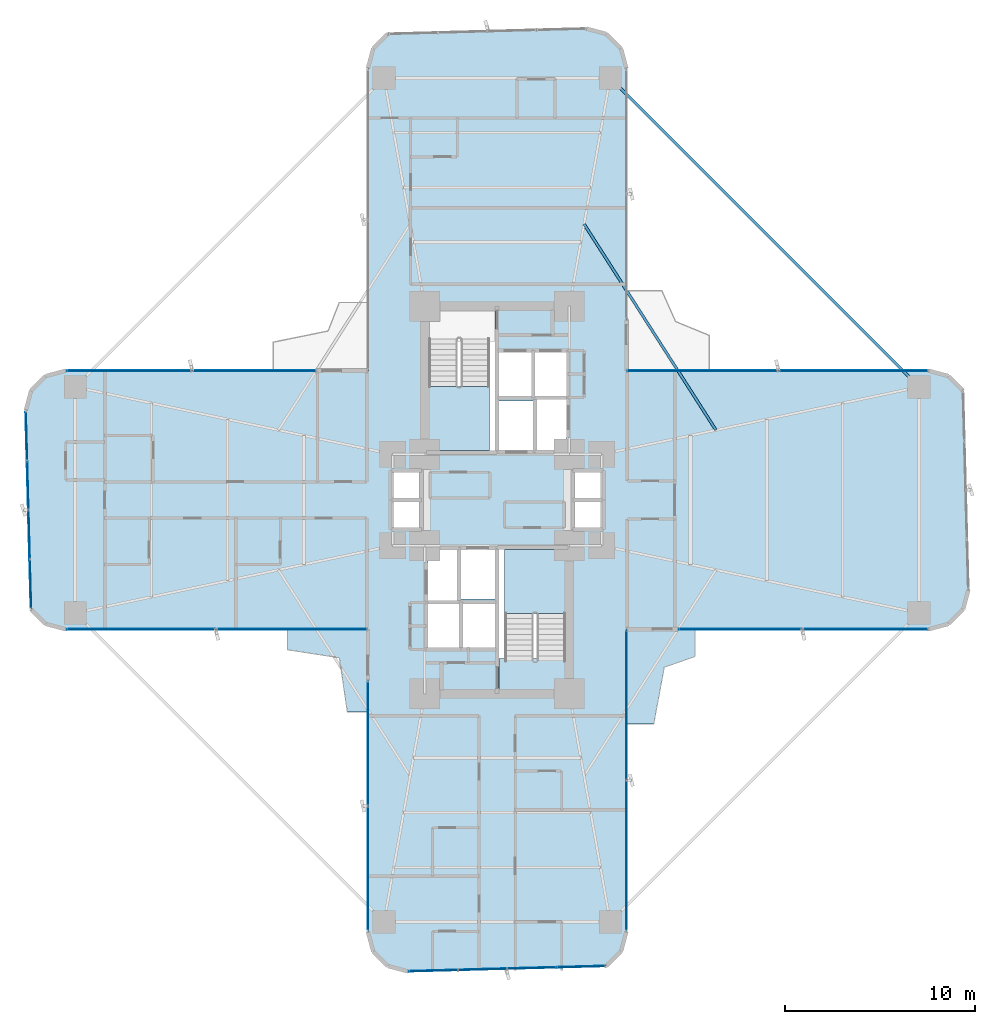
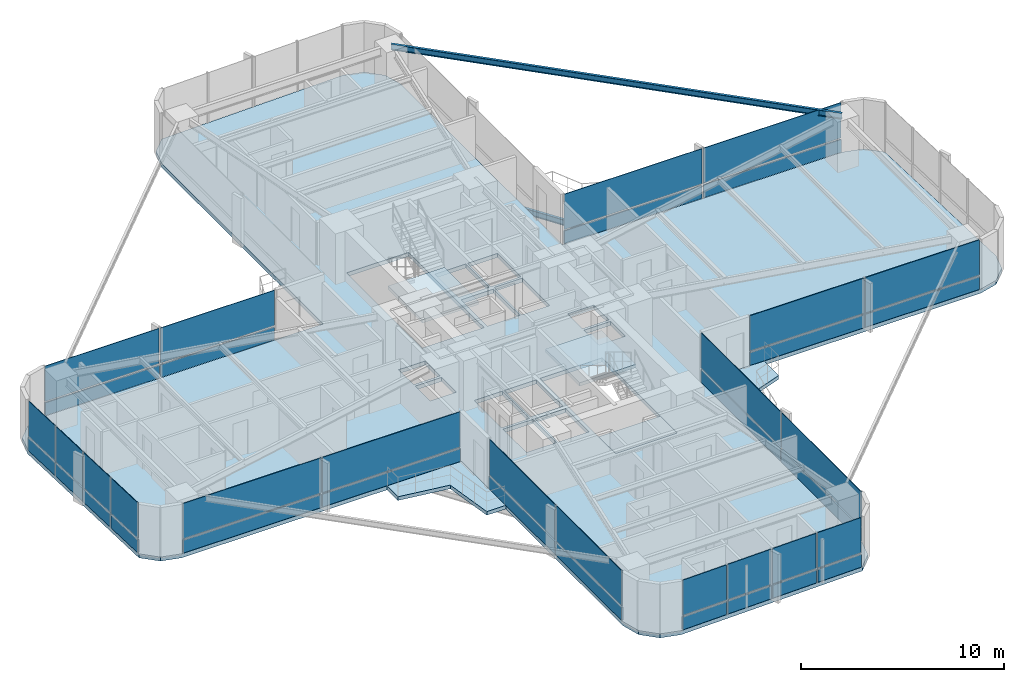
# One storey, part 20 of 26: 40 plates, 6 slabs, 2 beams, 10 elements without a shape of their own.
"""IFC4 building model written with IfcOpenShell, lengths in metres."""

from ifc_helpers import new_model, si_unit, direction, frame, origin, origin_2d, place, context, subcontext, project, spatial, polyline, rectangle, i_section, outline, extrude, source, transform, mapped, material, layer, layer_set, material_profile, profile_set, type_object, element, aggregate, save


model = new_model("IFC4")

# Units and contexts
model_context = context("Model", 3, precision=1e-05, world=origin(), true_north=direction((0.0, 1.0)))
body_context = subcontext(model_context, "Body", "Model", "MODEL_VIEW")
ifc_project = project(units=[si_unit("LENGTHUNIT", "METRE"), si_unit("AREAUNIT", "SQUARE_METRE"), si_unit("VOLUMEUNIT", "CUBIC_METRE"), si_unit("PLANEANGLEUNIT", "RADIAN"), si_unit("MASSUNIT", "GRAM", prefix="KILO")], contexts=[model_context])

# Site, building, storey
site_placement = place(None, origin())
site = spatial("IfcSite", under=ifc_project, at=site_placement, CompositionType="ELEMENT")
building_placement = place(site_placement, origin())
building = spatial("IfcBuilding", under=site, at=building_placement, Name="Sahyath Konkavel Grand Hotel", CompositionType="ELEMENT")
storey_placement = place(building_placement, frame((0.0, 0.0, 43.199951171875)))
storey = spatial("IfcBuildingStorey", under=building, at=storey_placement, Name="L11", CompositionType="ELEMENT", Elevation=43.199951171875)

# Beams
ifc_material_1 = material(Name="Steel E350", Category="steel")
ifc_material_profile_1 = material_profile(ifc_material_1, i_section(OverallWidth=0.139892578125, OverallDepth=0.35009765625, WebThickness=0.008056640625, FlangeThickness=0.01416015625, FilletRadius=0.013916015625, at=origin_2d()), Name="ISMB 350")
ifc_profile_set_1 = profile_set([ifc_material_profile_1], Name="Steel E350")
beam_type_1 = type_object("IfcBeamType", Name="BM-ISMB350", PredefinedType="BEAM", material=ifc_profile_set_1)
shared_shape_1 = source(origin(), body_context, "Body", "SweptSolid", [
    extrude(i_section(OverallWidth=0.139892578125, OverallDepth=0.35009765625, WebThickness=0.008056640625, FlangeThickness=0.01416015625, FilletRadius=0.013916015625, at=origin_2d()), origin(), (0.0, 0.0, 1.0), 22.98095703125),
])
beam_1_placement = place(storey_placement, frame((22.199951171875, 5.949951171875, 2.875), z_axis=(-0.707106781187, 0.707106781187, 0.0), x_axis=(-0.707106781187, -0.707106781187, 0.0)))
element("IfcBeam", 1, at=beam_1_placement, inside=storey, type_object=beam_type_1, Name="L11 Re-Entrant Tie Beam NE", PredefinedType="BEAM", context=body_context, shape_type="MappedRepresentation", body=[
    mapped(shared_shape_1, transform((0.0, 0.0, 0.0), scale=1.0)),
])
ifc_material_profile_2 = material_profile(ifc_material_1, i_section(OverallWidth=0.139892578125, OverallDepth=0.35009765625, WebThickness=0.008056640625, FlangeThickness=0.01416015625, FilletRadius=0.013916015625, at=origin_2d()), Name="ISMB 350")
ifc_profile_set_2 = profile_set([ifc_material_profile_2], Name="Steel E350")
beam_type_2 = type_object("IfcBeamType", Name="BM-BALC-CANT", PredefinedType="BEAM", material=ifc_profile_set_2)
shared_shape_2 = source(origin(), body_context, "Body", "SweptSolid", [
    extrude(i_section(OverallWidth=0.139892578125, OverallDepth=0.35009765625, WebThickness=0.008056640625, FlangeThickness=0.01416015625, FilletRadius=0.013916015625, at=origin_2d()), origin(), (0.0, 0.0, 1.0), 12.871826171875),
])
beam_2_placement = place(storey_placement, frame((11.511962890625, 3.677978515625, -0.4150390625), z_axis=(-0.539003102535, 0.842303778608, 0.0), x_axis=(-0.842303778608, -0.539003102535, 0.0)))
element("IfcBeam", 2, at=beam_2_placement, inside=storey, type_object=beam_type_2, Name="L11 Balcony Cantilever Support Beam NE", PredefinedType="BEAM", context=body_context, shape_type="MappedRepresentation", body=[
    mapped(shared_shape_2, transform((0.0, 0.0, 0.0), scale=1.0)),
])

# Slabs
ifc_material_2 = material(Name="Concrete C40/50", Category="concrete")
ifc_layer_1 = layer(ifc_material_2, 0.239990234375)
ifc_layer_set_1 = layer_set([ifc_layer_1], Name="Concrete C40/50")
slab_type_1 = type_object("IfcSlabType", Name="SLB-240", PredefinedType="FLOOR", material=ifc_layer_set_1)
slab_1_placement = place(storey_placement, frame((0.0, 0.0, -0.239990234375)))
element("IfcSlab", 3, at=slab_1_placement, inside=storey, type_object=slab_type_1, Name="L11 Structural Floor Slab", PredefinedType="FLOOR", context=body_context, shape_type="SweptSolid", body=[
    extrude(outline(polyline([(6.800048828125, -6.800048828125), (22.699951171875, -6.800048828125), (23.75, -6.518798828125), (24.518798828125, -5.75), (24.800048828125, -4.699951171875), (24.518798828125, 5.75), (23.75, 6.518798828125), (22.699951171875, 6.800048828125), (6.800048828125, 6.800048828125), (6.800048828125, 22.699951171875), (6.518798828125, 23.75), (5.75, 24.518798828125), (4.699951171875, 24.800048828125), (-5.75, 24.518798828125), (-6.518798828125, 23.75), (-6.800048828125, 22.699951171875), (-6.800048828125, 6.800048828125), (-22.699951171875, 6.800048828125), (-23.75, 6.518798828125), (-24.518798828125, 5.75), (-24.800048828125, 4.699951171875), (-24.518798828125, -5.75), (-23.75, -6.518798828125), (-22.699951171875, -6.800048828125), (-6.800048828125, -6.800048828125), (-6.800048828125, -22.699951171875), (-6.518798828125, -23.75), (-5.75, -24.518798828125), (-4.699951171875, -24.800048828125), (5.75, -24.518798828125), (6.518798828125, -23.75), (6.800048828125, -22.699951171875), (6.800048828125, -6.800048828125)]), holes=[polyline([(-3.6201171875, 2.580078125), (-0.10009765625, 2.580078125), (-0.10009765625, 10.02001953125), (-3.6201171875, 10.02001953125), (-3.6201171875, 2.580078125)]), polyline([(0.10009765625, -10.02001953125), (3.6201171875, -10.02001953125), (3.6201171875, -2.580078125), (0.10009765625, -2.580078125), (0.10009765625, -10.02001953125)]), polyline([(0.10009765625, 2.60009765625), (1.949951171875, 2.60009765625), (1.949951171875, 5.199951171875), (0.10009765625, 5.199951171875), (0.10009765625, 2.60009765625)]), polyline([(-1.949951171875, -5.199951171875), (-0.10009765625, -5.199951171875), (-0.10009765625, -2.60009765625), (-1.949951171875, -2.60009765625), (-1.949951171875, -5.199951171875)]), polyline([(2.050048828125, 2.60009765625), (3.64990234375, 2.60009765625), (3.64990234375, 5.300048828125), (2.050048828125, 5.300048828125), (2.050048828125, 2.60009765625)]), polyline([(-3.64990234375, -5.300048828125), (-2.050048828125, -5.300048828125), (-2.050048828125, -2.60009765625), (-3.64990234375, -2.60009765625), (-3.64990234375, -5.300048828125)]), polyline([(0.10009765625, 5.449951171875), (1.85009765625, 5.449951171875), (1.85009765625, 7.75), (0.10009765625, 7.75), (0.10009765625, 5.449951171875)]), polyline([(1.949951171875, 5.449951171875), (3.64990234375, 5.449951171875), (3.64990234375, 7.75), (1.949951171875, 7.75), (1.949951171875, 5.449951171875)]), polyline([(-3.64990234375, -7.75), (-1.949951171875, -7.75), (-1.949951171875, -5.449951171875), (-3.64990234375, -5.449951171875), (-3.64990234375, -7.75)]), polyline([(-1.85009765625, -7.75), (-0.10009765625, -7.75), (-0.10009765625, -5.449951171875), (-1.85009765625, -5.449951171875), (-1.85009765625, -7.75)]), polyline([(4.050048828125, 0.080078125), (5.550048828125, 0.080078125), (5.550048828125, 1.5400390625), (4.050048828125, 1.5400390625), (4.050048828125, 0.080078125)]), polyline([(4.050048828125, -1.5400390625), (5.550048828125, -1.5400390625), (5.550048828125, -0.080078125), (4.050048828125, -0.080078125), (4.050048828125, -1.5400390625)]), polyline([(-5.550048828125, 0.080078125), (-4.050048828125, 0.080078125), (-4.050048828125, 1.5400390625), (-5.550048828125, 1.5400390625), (-5.550048828125, 0.080078125)]), polyline([(-5.550048828125, -1.5400390625), (-4.050048828125, -1.5400390625), (-4.050048828125, -0.080078125), (-5.550048828125, -0.080078125), (-5.550048828125, -1.5400390625)])]), origin(), (0.0, 0.0, 1.0), 0.239990234375),
])
ifc_layer_2 = layer(ifc_material_2, 0.219970703125)
ifc_layer_set_2 = layer_set([ifc_layer_2], Name="Concrete C40/50")
slab_type_2 = type_object("IfcSlabType", Name="SLB-BALCONY-220", PredefinedType="FLOOR", material=ifc_layer_set_2)
slab_2_placement = place(storey_placement, frame((0.0, 0.0, -0.219970703125)))
element("IfcSlab", 4, at=slab_2_placement, inside=storey, type_object=slab_type_2, Name="L11 Winter-Garden Balcony SW", PredefinedType="FLOOR", context=body_context, shape_type="SweptSolid", body=[
    extrude(outline(polyline([(-6.800048828125, -6.800048828125), (-11.033935546875, -6.800048828125), (-11.033935546875, -7.88134765625), (-8.302001953125, -8.302001953125), (-7.88134765625, -11.166015625), (-6.800048828125, -11.166015625), (-6.800048828125, -6.800048828125)])), origin(), (0.0, 0.0, 1.0), 0.219970703125),
])
slab_3_placement = place(storey_placement, frame((0.0, 0.0, -0.219970703125)))
element("IfcSlab", 5, at=slab_3_placement, inside=storey, type_object=slab_type_2, Name="L11 Winter-Garden Balcony SE", PredefinedType="FLOOR", context=body_context, shape_type="SweptSolid", body=[
    extrude(outline(polyline([(6.800048828125, -6.800048828125), (6.800048828125, -11.797119140625), (8.238525390625, -11.797119140625), (8.798095703125, -8.798095703125), (10.403076171875, -8.238525390625), (10.403076171875, -6.800048828125), (6.800048828125, -6.800048828125)])), origin(), (0.0, 0.0, 1.0), 0.219970703125),
])

# Stair, slab
stair_type = type_object("IfcStairType", Name="STR-ST16-335", PredefinedType="HALF_TURN_STAIR", material=ifc_material_2)
stair_1_placement = place(storey_placement, origin())
stair_1 = element("IfcStair", 6, at=stair_1_placement, inside=storey, type_object=stair_type, Name="L11 North Core Smokeproof Exit Stair ST-1", PredefinedType="HALF_TURN_STAIR")
ifc_layer_3 = layer(ifc_material_2, 0.199951171875)
ifc_layer_set_3 = layer_set([ifc_layer_3], Name="Concrete C40/50")
slab_type_3 = type_object("IfcSlabType", Name="SLB-STAIR-LND", PredefinedType="LANDING", material=ifc_layer_set_3)
slab_4_placement = place(storey_placement, frame((0.0, 0.0, 1.47509765625)))
slab_4 = element("IfcSlab", 7, at=slab_4_placement, type_object=slab_type_3, Name="ST-1 landing 1", PredefinedType="LANDING", context=body_context, shape_type="SweptSolid", body=[
    extrude(outline(polyline([(-3.60009765625, 5.9599609375), (-3.60009765625, 2.60009765625), (-0.39990234375, 2.60009765625), (-0.39990234375, 5.9599609375), (-3.60009765625, 5.9599609375)])), origin(), (0.0, 0.0, 1.0), 0.199951171875),
])
aggregate(stair_1, [slab_4])

stair_2_placement = place(storey_placement, origin())
stair_2 = element("IfcStair", 8, at=stair_2_placement, inside=storey, type_object=stair_type, Name="L11 South Core Smokeproof Exit Stair ST-2", PredefinedType="HALF_TURN_STAIR")
slab_5_placement = place(storey_placement, frame((0.0, 0.0, 1.47509765625)))
slab_5 = element("IfcSlab", 9, at=slab_5_placement, type_object=slab_type_3, Name="ST-2 landing 1", PredefinedType="LANDING", context=body_context, shape_type="SweptSolid", body=[
    extrude(outline(polyline([(3.60009765625, -5.9599609375), (3.60009765625, -2.60009765625), (0.39990234375, -2.60009765625), (0.39990234375, -5.9599609375), (3.60009765625, -5.9599609375)])), origin(), (0.0, 0.0, 1.0), 0.199951171875),
])
aggregate(stair_2, [slab_5])

# Slab
slab_6_placement = place(storey_placement, frame((0.0, 0.0, -0.199951171875)))
element("IfcSlab", 10, at=slab_6_placement, inside=storey, type_object=slab_type_3, Name="L11 Stair ST-2 Floor Landing Slab", PredefinedType="LANDING", context=body_context, shape_type="SweptSolid", body=[
    extrude(outline(polyline([(0.10009765625, -10.02001953125), (3.6201171875, -10.02001953125), (3.6201171875, -8.35009765625), (0.10009765625, -8.35009765625), (0.10009765625, -10.02001953125)])), origin(), (0.0, 0.0, 1.0), 0.199951171875),
])

# Curtain wall, plates
ifc_material_3 = material(Name="Anodised Bronze Aluminium & Low-E Glazing", Category="aluminium")
curtain_wall_type = type_object("IfcCurtainWallType", Name="CW-ZONE1", PredefinedType="NOTDEFINED", material=ifc_material_3)
curtain_wall_1_placement = place(storey_placement, origin())
curtain_wall_1 = element("IfcCurtainWall", 11, at=curtain_wall_1_placement, inside=storey, type_object=curtain_wall_type, Name="L11 Unitised Curtain Wall F7", PredefinedType="NOTDEFINED")
ifc_material_4 = material(Name="Warm Buff Sandstone Cladding", Category="masonry")
ifc_layer_4 = layer(ifc_material_4, 0.074951171875)
ifc_layer_set_4 = layer_set([ifc_layer_4], Name="Warm Buff Sandstone Cladding")
plate_type_1 = type_object("IfcPlateType", Name="PNL-SPANDREL-STONE", PredefinedType="SHEET", material=ifc_layer_set_4)
shared_shape_3 = source(origin(), body_context, "Body", "SweptSolid", [
    extrude(rectangle(XDim=7.830078125, YDim=0.074951171875, at=origin_2d()), origin(), (0.0, 0.0, 1.0), 0.77001953125),
])
plate_1_placement = place(storey_placement, frame((18.705078125, 6.800048828125, 0.0400390625), z_axis=(0.0, 0.0, 1.0), x_axis=(-1.0, 0.0, 0.0)))
plate_1 = element("IfcPlate", 12, at=plate_1_placement, type_object=plate_type_1, Name="L11 Sandstone Relief Spandrel Panel F7-0", PredefinedType="SHEET", context=body_context, shape_type="MappedRepresentation", body=[
    mapped(shared_shape_3, transform((0.0, 0.0, 0.0), scale=1.0)),
])
plate_2_placement = place(storey_placement, frame((10.794921875, 6.800048828125, 0.0400390625), z_axis=(0.0, 0.0, 1.0), x_axis=(-1.0, 0.0, 0.0)))
plate_2 = element("IfcPlate", 13, at=plate_2_placement, type_object=plate_type_1, Name="L11 Sandstone Relief Spandrel Panel F7-1", PredefinedType="SHEET", context=body_context, shape_type="MappedRepresentation", body=[
    mapped(shared_shape_3, transform((0.0, 0.0, 0.0), scale=1.0)),
])

curtain_wall_2_placement = place(storey_placement, origin())
curtain_wall_2 = element("IfcCurtainWall", 14, at=curtain_wall_2_placement, inside=storey, type_object=curtain_wall_type, Name="L11 Unitised Curtain Wall F23", PredefinedType="NOTDEFINED")
plate_3_placement = place(storey_placement, frame((-18.705078125, -6.800048828125, 0.0400390625), z_axis=(0.0, 0.0, 1.0), x_axis=(1.0, 0.0, 0.0)))
plate_3 = element("IfcPlate", 15, at=plate_3_placement, type_object=plate_type_1, Name="L11 Sandstone Relief Spandrel Panel F23-0", PredefinedType="SHEET", context=body_context, shape_type="MappedRepresentation", body=[
    mapped(shared_shape_3, transform((0.0, 0.0, 0.0), scale=1.0)),
])
plate_4_placement = place(storey_placement, frame((-10.794921875, -6.800048828125, 0.0400390625), z_axis=(0.0, 0.0, 1.0), x_axis=(1.0, 0.0, 0.0)))
plate_4 = element("IfcPlate", 16, at=plate_4_placement, type_object=plate_type_1, Name="L11 Sandstone Relief Spandrel Panel F23-1", PredefinedType="SHEET", context=body_context, shape_type="MappedRepresentation", body=[
    mapped(shared_shape_3, transform((0.0, 0.0, 0.0), scale=1.0)),
])

curtain_wall_3_placement = place(storey_placement, origin())
curtain_wall_3 = element("IfcCurtainWall", 17, at=curtain_wall_3_placement, inside=storey, type_object=curtain_wall_type, Name="L11 Unitised Curtain Wall F31", PredefinedType="NOTDEFINED")
plate_5_placement = place(storey_placement, frame((6.800048828125, -18.705078125, 0.0400390625), z_axis=(0.0, 0.0, 1.0), x_axis=(0.0, 1.0, 0.0)))
plate_5 = element("IfcPlate", 18, at=plate_5_placement, type_object=plate_type_1, Name="L11 Sandstone Relief Spandrel Panel F31-0", PredefinedType="SHEET", context=body_context, shape_type="MappedRepresentation", body=[
    mapped(shared_shape_3, transform((0.0, 0.0, 0.0), scale=1.0)),
])
plate_6_placement = place(storey_placement, frame((6.800048828125, -10.794921875, 0.0400390625), z_axis=(0.0, 0.0, 1.0), x_axis=(0.0, 1.0, 0.0)))
plate_6 = element("IfcPlate", 19, at=plate_6_placement, type_object=plate_type_1, Name="L11 Sandstone Relief Spandrel Panel F31-1", PredefinedType="SHEET", context=body_context, shape_type="MappedRepresentation", body=[
    mapped(shared_shape_3, transform((0.0, 0.0, 0.0), scale=1.0)),
])

curtain_wall_4_placement = place(storey_placement, origin())
curtain_wall_4 = element("IfcCurtainWall", 20, at=curtain_wall_4_placement, inside=storey, type_object=curtain_wall_type, Name="L11 Unitised Curtain Wall F20", PredefinedType="NOTDEFINED")
shared_shape_4 = source(origin(), body_context, "Body", "SweptSolid", [
    extrude(rectangle(XDim=2.513427734375, YDim=0.074951171875, at=origin_2d()), origin(), (0.0, 0.0, 1.0), 0.77001953125),
])
plate_7_placement = place(storey_placement, frame((-24.763916015625, 3.36376953125, 0.0400390625), z_axis=(0.0, 0.0, 1.0), x_axis=(0.026909728301, -0.999637867691, 0.0)))
plate_7 = element("IfcPlate", 21, at=plate_7_placement, type_object=plate_type_1, Name="L11 Sandstone Relief Spandrel Panel F20-0", PredefinedType="SHEET", context=body_context, shape_type="MappedRepresentation", body=[
    mapped(shared_shape_4, transform((0.0, 0.0, 0.0), scale=1.0)),
])
plate_8_placement = place(storey_placement, frame((-24.694091796875, 0.771240234375, 0.0400390625), z_axis=(0.0, 0.0, 1.0), x_axis=(0.026909728301, -0.999637867691, 0.0)))
plate_8 = element("IfcPlate", 22, at=plate_8_placement, type_object=plate_type_1, Name="L11 Sandstone Relief Spandrel Panel F20-1", PredefinedType="SHEET", context=body_context, shape_type="MappedRepresentation", body=[
    mapped(shared_shape_4, transform((0.0, 0.0, 0.0), scale=1.0)),
])
plate_9_placement = place(storey_placement, frame((-24.62451171875, -1.8212890625, 0.0400390625), z_axis=(0.0, 0.0, 1.0), x_axis=(0.026909728301, -0.999637867691, 0.0)))
plate_9 = element("IfcPlate", 23, at=plate_9_placement, type_object=plate_type_1, Name="L11 Sandstone Relief Spandrel Panel F20-2", PredefinedType="SHEET", context=body_context, shape_type="MappedRepresentation", body=[
    mapped(shared_shape_4, transform((0.0, 0.0, 0.0), scale=1.0)),
])
plate_10_placement = place(storey_placement, frame((-24.5546875, -4.413818359375, 0.0400390625), z_axis=(0.0, 0.0, 1.0), x_axis=(0.026909728301, -0.999637867691, 0.0)))
plate_10 = element("IfcPlate", 24, at=plate_10_placement, type_object=plate_type_1, Name="L11 Sandstone Relief Spandrel Panel F20-3", PredefinedType="SHEET", context=body_context, shape_type="MappedRepresentation", body=[
    mapped(shared_shape_4, transform((0.0, 0.0, 0.0), scale=1.0)),
])

curtain_wall_5_placement = place(storey_placement, origin())
curtain_wall_5 = element("IfcCurtainWall", 25, at=curtain_wall_5_placement, inside=storey, type_object=curtain_wall_type, Name="L11 Unitised Curtain Wall F28", PredefinedType="NOTDEFINED")
plate_11_placement = place(storey_placement, frame((-3.36376953125, -24.763916015625, 0.0400390625), z_axis=(0.0, 0.0, 1.0), x_axis=(0.999637867691, 0.026909728301, 0.0)))
plate_11 = element("IfcPlate", 26, at=plate_11_placement, type_object=plate_type_1, Name="L11 Sandstone Relief Spandrel Panel F28-0", PredefinedType="SHEET", context=body_context, shape_type="MappedRepresentation", body=[
    mapped(shared_shape_4, transform((0.0, 0.0, 0.0), scale=1.0)),
])
plate_12_placement = place(storey_placement, frame((-0.771240234375, -24.694091796875, 0.0400390625), z_axis=(0.0, 0.0, 1.0), x_axis=(0.999637867691, 0.026909728301, 0.0)))
plate_12 = element("IfcPlate", 27, at=plate_12_placement, type_object=plate_type_1, Name="L11 Sandstone Relief Spandrel Panel F28-1", PredefinedType="SHEET", context=body_context, shape_type="MappedRepresentation", body=[
    mapped(shared_shape_4, transform((0.0, 0.0, 0.0), scale=1.0)),
])
plate_13_placement = place(storey_placement, frame((1.8212890625, -24.62451171875, 0.0400390625), z_axis=(0.0, 0.0, 1.0), x_axis=(0.999637867691, 0.026909728301, 0.0)))
plate_13 = element("IfcPlate", 28, at=plate_13_placement, type_object=plate_type_1, Name="L11 Sandstone Relief Spandrel Panel F28-2", PredefinedType="SHEET", context=body_context, shape_type="MappedRepresentation", body=[
    mapped(shared_shape_4, transform((0.0, 0.0, 0.0), scale=1.0)),
])
plate_14_placement = place(storey_placement, frame((4.413818359375, -24.5546875, 0.0400390625), z_axis=(0.0, 0.0, 1.0), x_axis=(0.999637867691, 0.026909728301, 0.0)))
plate_14 = element("IfcPlate", 29, at=plate_14_placement, type_object=plate_type_1, Name="L11 Sandstone Relief Spandrel Panel F28-3", PredefinedType="SHEET", context=body_context, shape_type="MappedRepresentation", body=[
    mapped(shared_shape_4, transform((0.0, 0.0, 0.0), scale=1.0)),
])

curtain_wall_6_placement = place(storey_placement, origin())
curtain_wall_6 = element("IfcCurtainWall", 30, at=curtain_wall_6_placement, inside=storey, type_object=curtain_wall_type, Name="L11 Unitised Curtain Wall F0", PredefinedType="NOTDEFINED")
shared_shape_5 = source(origin(), body_context, "Body", "SweptSolid", [
    extrude(rectangle(XDim=6.47998046875, YDim=0.074951171875, at=origin_2d()), origin(), (0.0, 0.0, 1.0), 0.77001953125),
])
plate_15_placement = place(storey_placement, frame((12.820068359375, -6.800048828125, 0.0400390625), z_axis=(0.0, 0.0, 1.0), x_axis=(1.0, 0.0, 0.0)))
plate_15 = element("IfcPlate", 31, at=plate_15_placement, type_object=plate_type_1, Name="L11 Sandstone Relief Spandrel Panel F0-0", PredefinedType="SHEET", context=body_context, shape_type="MappedRepresentation", body=[
    mapped(shared_shape_5, transform((0.0, 0.0, 0.0), scale=1.0)),
])
plate_16_placement = place(storey_placement, frame((19.3798828125, -6.800048828125, 0.0400390625), z_axis=(0.0, 0.0, 1.0), x_axis=(1.0, 0.0, 0.0)))
plate_16 = element("IfcPlate", 32, at=plate_16_placement, type_object=plate_type_1, Name="L11 Sandstone Relief Spandrel Panel F0-1", PredefinedType="SHEET", context=body_context, shape_type="MappedRepresentation", body=[
    mapped(shared_shape_5, transform((0.0, 0.0, 0.0), scale=1.0)),
])

curtain_wall_7_placement = place(storey_placement, origin())
curtain_wall_7 = element("IfcCurtainWall", 33, at=curtain_wall_7_placement, inside=storey, type_object=curtain_wall_type, Name="L11 Unitised Curtain Wall F16", PredefinedType="NOTDEFINED")
plate_17_placement = place(storey_placement, frame((-12.820068359375, 6.800048828125, 0.0400390625), z_axis=(0.0, 0.0, 1.0), x_axis=(-1.0, 0.0, 0.0)))
plate_17 = element("IfcPlate", 34, at=plate_17_placement, type_object=plate_type_1, Name="L11 Sandstone Relief Spandrel Panel F16-0", PredefinedType="SHEET", context=body_context, shape_type="MappedRepresentation", body=[
    mapped(shared_shape_5, transform((0.0, 0.0, 0.0), scale=1.0)),
])
plate_18_placement = place(storey_placement, frame((-19.3798828125, 6.800048828125, 0.0400390625), z_axis=(0.0, 0.0, 1.0), x_axis=(-1.0, 0.0, 0.0)))
plate_18 = element("IfcPlate", 35, at=plate_18_placement, type_object=plate_type_1, Name="L11 Sandstone Relief Spandrel Panel F16-1", PredefinedType="SHEET", context=body_context, shape_type="MappedRepresentation", body=[
    mapped(shared_shape_5, transform((0.0, 0.0, 0.0), scale=1.0)),
])

curtain_wall_8_placement = place(storey_placement, origin())
curtain_wall_8 = element("IfcCurtainWall", 36, at=curtain_wall_8_placement, inside=storey, type_object=curtain_wall_type, Name="L11 Unitised Curtain Wall F24", PredefinedType="NOTDEFINED")
plate_19_placement = place(storey_placement, frame((-6.800048828125, -12.820068359375, 0.0400390625), z_axis=(0.0, 0.0, 1.0), x_axis=(0.0, -1.0, 0.0)))
plate_19 = element("IfcPlate", 37, at=plate_19_placement, type_object=plate_type_1, Name="L11 Sandstone Relief Spandrel Panel F24-0", PredefinedType="SHEET", context=body_context, shape_type="MappedRepresentation", body=[
    mapped(shared_shape_5, transform((0.0, 0.0, 0.0), scale=1.0)),
])
plate_20_placement = place(storey_placement, frame((-6.800048828125, -19.3798828125, 0.0400390625), z_axis=(0.0, 0.0, 1.0), x_axis=(0.0, -1.0, 0.0)))
plate_20 = element("IfcPlate", 38, at=plate_20_placement, type_object=plate_type_1, Name="L11 Sandstone Relief Spandrel Panel F24-1", PredefinedType="SHEET", context=body_context, shape_type="MappedRepresentation", body=[
    mapped(shared_shape_5, transform((0.0, 0.0, 0.0), scale=1.0)),
])

# Plate
ifc_material_5 = material(Name="Low-E Solar Control Double Glazing", Category="glass")
ifc_layer_5 = layer(ifc_material_5, 0.035888671875)
ifc_layer_set_5 = layer_set([ifc_layer_5], Name="Low-E Solar Control Double Glazing")
plate_type_2 = type_object("IfcPlateType", Name="PNL-VISION-LOWE", PredefinedType="CURTAIN_PANEL", material=ifc_layer_set_5)
shared_shape_6 = source(origin(), body_context, "Body", "SweptSolid", [
    extrude(rectangle(XDim=6.47998046875, YDim=0.035888671875, at=origin_2d()), origin(), (0.0, 0.0, 1.0), 2.1201171875),
])
plate_21_placement = place(storey_placement, frame((12.820068359375, -6.800048828125, 0.889892578125), z_axis=(0.0, 0.0, 1.0), x_axis=(1.0, 0.0, 0.0)))
plate_21 = element("IfcPlate", 39, at=plate_21_placement, type_object=plate_type_2, Name="L11 Low-E Vision Glazing Panel F0-0", PredefinedType="CURTAIN_PANEL", context=body_context, shape_type="MappedRepresentation", body=[
    mapped(shared_shape_6, transform((0.0, 0.0, 0.0), scale=1.0)),
])

plate_22_placement = place(storey_placement, frame((19.3798828125, -6.800048828125, 0.889892578125), z_axis=(0.0, 0.0, 1.0), x_axis=(1.0, 0.0, 0.0)))
plate_22 = element("IfcPlate", 40, at=plate_22_placement, type_object=plate_type_2, Name="L11 Low-E Vision Glazing Panel F0-1", PredefinedType="CURTAIN_PANEL", context=body_context, shape_type="MappedRepresentation", body=[
    mapped(shared_shape_6, transform((0.0, 0.0, 0.0), scale=1.0)),
])

aggregate(curtain_wall_6, [plate_15, plate_21, plate_16, plate_22])

plate_23_placement = place(storey_placement, frame((-12.820068359375, 6.800048828125, 0.889892578125), z_axis=(0.0, 0.0, 1.0), x_axis=(-1.0, 0.0, 0.0)))
plate_23 = element("IfcPlate", 41, at=plate_23_placement, type_object=plate_type_2, Name="L11 Low-E Vision Glazing Panel F16-0", PredefinedType="CURTAIN_PANEL", context=body_context, shape_type="MappedRepresentation", body=[
    mapped(shared_shape_6, transform((0.0, 0.0, 0.0), scale=1.0)),
])

plate_24_placement = place(storey_placement, frame((-19.3798828125, 6.800048828125, 0.889892578125), z_axis=(0.0, 0.0, 1.0), x_axis=(-1.0, 0.0, 0.0)))
plate_24 = element("IfcPlate", 42, at=plate_24_placement, type_object=plate_type_2, Name="L11 Low-E Vision Glazing Panel F16-1", PredefinedType="CURTAIN_PANEL", context=body_context, shape_type="MappedRepresentation", body=[
    mapped(shared_shape_6, transform((0.0, 0.0, 0.0), scale=1.0)),
])

aggregate(curtain_wall_7, [plate_17, plate_23, plate_18, plate_24])

plate_25_placement = place(storey_placement, frame((-6.800048828125, -12.820068359375, 0.889892578125), z_axis=(0.0, 0.0, 1.0), x_axis=(0.0, -1.0, 0.0)))
plate_25 = element("IfcPlate", 43, at=plate_25_placement, type_object=plate_type_2, Name="L11 Low-E Vision Glazing Panel F24-0", PredefinedType="CURTAIN_PANEL", context=body_context, shape_type="MappedRepresentation", body=[
    mapped(shared_shape_6, transform((0.0, 0.0, 0.0), scale=1.0)),
])

plate_26_placement = place(storey_placement, frame((-6.800048828125, -19.3798828125, 0.889892578125), z_axis=(0.0, 0.0, 1.0), x_axis=(0.0, -1.0, 0.0)))
plate_26 = element("IfcPlate", 44, at=plate_26_placement, type_object=plate_type_2, Name="L11 Low-E Vision Glazing Panel F24-1", PredefinedType="CURTAIN_PANEL", context=body_context, shape_type="MappedRepresentation", body=[
    mapped(shared_shape_6, transform((0.0, 0.0, 0.0), scale=1.0)),
])

aggregate(curtain_wall_8, [plate_19, plate_25, plate_20, plate_26])

shared_shape_7 = source(origin(), body_context, "Body", "SweptSolid", [
    extrude(rectangle(XDim=2.513427734375, YDim=0.035888671875, at=origin_2d()), origin(), (0.0, 0.0, 1.0), 2.1201171875),
])
plate_27_placement = place(storey_placement, frame((-24.763916015625, 3.36376953125, 0.889892578125), z_axis=(0.0, 0.0, 1.0), x_axis=(0.026909728301, -0.999637867691, 0.0)))
plate_27 = element("IfcPlate", 45, at=plate_27_placement, type_object=plate_type_2, Name="L11 Low-E Vision Glazing Panel F20-0", PredefinedType="CURTAIN_PANEL", context=body_context, shape_type="MappedRepresentation", body=[
    mapped(shared_shape_7, transform((0.0, 0.0, 0.0), scale=1.0)),
])

plate_28_placement = place(storey_placement, frame((-24.694091796875, 0.771240234375, 0.889892578125), z_axis=(0.0, 0.0, 1.0), x_axis=(0.026909728301, -0.999637867691, 0.0)))
plate_28 = element("IfcPlate", 46, at=plate_28_placement, type_object=plate_type_2, Name="L11 Low-E Vision Glazing Panel F20-1", PredefinedType="CURTAIN_PANEL", context=body_context, shape_type="MappedRepresentation", body=[
    mapped(shared_shape_7, transform((0.0, 0.0, 0.0), scale=1.0)),
])

plate_29_placement = place(storey_placement, frame((-24.62451171875, -1.8212890625, 0.889892578125), z_axis=(0.0, 0.0, 1.0), x_axis=(0.026909728301, -0.999637867691, 0.0)))
plate_29 = element("IfcPlate", 47, at=plate_29_placement, type_object=plate_type_2, Name="L11 Low-E Vision Glazing Panel F20-2", PredefinedType="CURTAIN_PANEL", context=body_context, shape_type="MappedRepresentation", body=[
    mapped(shared_shape_7, transform((0.0, 0.0, 0.0), scale=1.0)),
])

plate_30_placement = place(storey_placement, frame((-24.5546875, -4.413818359375, 0.889892578125), z_axis=(0.0, 0.0, 1.0), x_axis=(0.026909728301, -0.999637867691, 0.0)))
plate_30 = element("IfcPlate", 48, at=plate_30_placement, type_object=plate_type_2, Name="L11 Low-E Vision Glazing Panel F20-3", PredefinedType="CURTAIN_PANEL", context=body_context, shape_type="MappedRepresentation", body=[
    mapped(shared_shape_7, transform((0.0, 0.0, 0.0), scale=1.0)),
])

aggregate(curtain_wall_4, [plate_7, plate_27, plate_8, plate_28, plate_9, plate_29, plate_10, plate_30])

plate_31_placement = place(storey_placement, frame((-3.36376953125, -24.763916015625, 0.889892578125), z_axis=(0.0, 0.0, 1.0), x_axis=(0.999637867691, 0.026909728301, 0.0)))
plate_31 = element("IfcPlate", 49, at=plate_31_placement, type_object=plate_type_2, Name="L11 Low-E Vision Glazing Panel F28-0", PredefinedType="CURTAIN_PANEL", context=body_context, shape_type="MappedRepresentation", body=[
    mapped(shared_shape_7, transform((0.0, 0.0, 0.0), scale=1.0)),
])

plate_32_placement = place(storey_placement, frame((-0.771240234375, -24.694091796875, 0.889892578125), z_axis=(0.0, 0.0, 1.0), x_axis=(0.999637867691, 0.026909728301, 0.0)))
plate_32 = element("IfcPlate", 50, at=plate_32_placement, type_object=plate_type_2, Name="L11 Low-E Vision Glazing Panel F28-1", PredefinedType="CURTAIN_PANEL", context=body_context, shape_type="MappedRepresentation", body=[
    mapped(shared_shape_7, transform((0.0, 0.0, 0.0), scale=1.0)),
])

plate_33_placement = place(storey_placement, frame((1.8212890625, -24.62451171875, 0.889892578125), z_axis=(0.0, 0.0, 1.0), x_axis=(0.999637867691, 0.026909728301, 0.0)))
plate_33 = element("IfcPlate", 51, at=plate_33_placement, type_object=plate_type_2, Name="L11 Low-E Vision Glazing Panel F28-2", PredefinedType="CURTAIN_PANEL", context=body_context, shape_type="MappedRepresentation", body=[
    mapped(shared_shape_7, transform((0.0, 0.0, 0.0), scale=1.0)),
])

plate_34_placement = place(storey_placement, frame((4.413818359375, -24.5546875, 0.889892578125), z_axis=(0.0, 0.0, 1.0), x_axis=(0.999637867691, 0.026909728301, 0.0)))
plate_34 = element("IfcPlate", 52, at=plate_34_placement, type_object=plate_type_2, Name="L11 Low-E Vision Glazing Panel F28-3", PredefinedType="CURTAIN_PANEL", context=body_context, shape_type="MappedRepresentation", body=[
    mapped(shared_shape_7, transform((0.0, 0.0, 0.0), scale=1.0)),
])

aggregate(curtain_wall_5, [plate_11, plate_31, plate_12, plate_32, plate_13, plate_33, plate_14, plate_34])

shared_shape_8 = source(origin(), body_context, "Body", "SweptSolid", [
    extrude(rectangle(XDim=7.830078125, YDim=0.035888671875, at=origin_2d()), origin(), (0.0, 0.0, 1.0), 2.1201171875),
])
plate_35_placement = place(storey_placement, frame((18.705078125, 6.800048828125, 0.889892578125), z_axis=(0.0, 0.0, 1.0), x_axis=(-1.0, 0.0, 0.0)))
plate_35 = element("IfcPlate", 53, at=plate_35_placement, type_object=plate_type_2, Name="L11 Low-E Vision Glazing Panel F7-0", PredefinedType="CURTAIN_PANEL", context=body_context, shape_type="MappedRepresentation", body=[
    mapped(shared_shape_8, transform((0.0, 0.0, 0.0), scale=1.0)),
])

plate_36_placement = place(storey_placement, frame((10.794921875, 6.800048828125, 0.889892578125), z_axis=(0.0, 0.0, 1.0), x_axis=(-1.0, 0.0, 0.0)))
plate_36 = element("IfcPlate", 54, at=plate_36_placement, type_object=plate_type_2, Name="L11 Low-E Vision Glazing Panel F7-1", PredefinedType="CURTAIN_PANEL", context=body_context, shape_type="MappedRepresentation", body=[
    mapped(shared_shape_8, transform((0.0, 0.0, 0.0), scale=1.0)),
])

aggregate(curtain_wall_1, [plate_1, plate_35, plate_2, plate_36])

plate_37_placement = place(storey_placement, frame((-18.705078125, -6.800048828125, 0.889892578125), z_axis=(0.0, 0.0, 1.0), x_axis=(1.0, 0.0, 0.0)))
plate_37 = element("IfcPlate", 55, at=plate_37_placement, type_object=plate_type_2, Name="L11 Low-E Vision Glazing Panel F23-0", PredefinedType="CURTAIN_PANEL", context=body_context, shape_type="MappedRepresentation", body=[
    mapped(shared_shape_8, transform((0.0, 0.0, 0.0), scale=1.0)),
])

plate_38_placement = place(storey_placement, frame((-10.794921875, -6.800048828125, 0.889892578125), z_axis=(0.0, 0.0, 1.0), x_axis=(1.0, 0.0, 0.0)))
plate_38 = element("IfcPlate", 56, at=plate_38_placement, type_object=plate_type_2, Name="L11 Low-E Vision Glazing Panel F23-1", PredefinedType="CURTAIN_PANEL", context=body_context, shape_type="MappedRepresentation", body=[
    mapped(shared_shape_8, transform((0.0, 0.0, 0.0), scale=1.0)),
])

aggregate(curtain_wall_2, [plate_3, plate_37, plate_4, plate_38])

plate_39_placement = place(storey_placement, frame((6.800048828125, -18.705078125, 0.889892578125), z_axis=(0.0, 0.0, 1.0), x_axis=(0.0, 1.0, 0.0)))
plate_39 = element("IfcPlate", 57, at=plate_39_placement, type_object=plate_type_2, Name="L11 Low-E Vision Glazing Panel F31-0", PredefinedType="CURTAIN_PANEL", context=body_context, shape_type="MappedRepresentation", body=[
    mapped(shared_shape_8, transform((0.0, 0.0, 0.0), scale=1.0)),
])

plate_40_placement = place(storey_placement, frame((6.800048828125, -10.794921875, 0.889892578125), z_axis=(0.0, 0.0, 1.0), x_axis=(0.0, 1.0, 0.0)))
plate_40 = element("IfcPlate", 58, at=plate_40_placement, type_object=plate_type_2, Name="L11 Low-E Vision Glazing Panel F31-1", PredefinedType="CURTAIN_PANEL", context=body_context, shape_type="MappedRepresentation", body=[
    mapped(shared_shape_8, transform((0.0, 0.0, 0.0), scale=1.0)),
])

aggregate(curtain_wall_3, [plate_5, plate_39, plate_6, plate_40])

save(model, "model.ifc")
